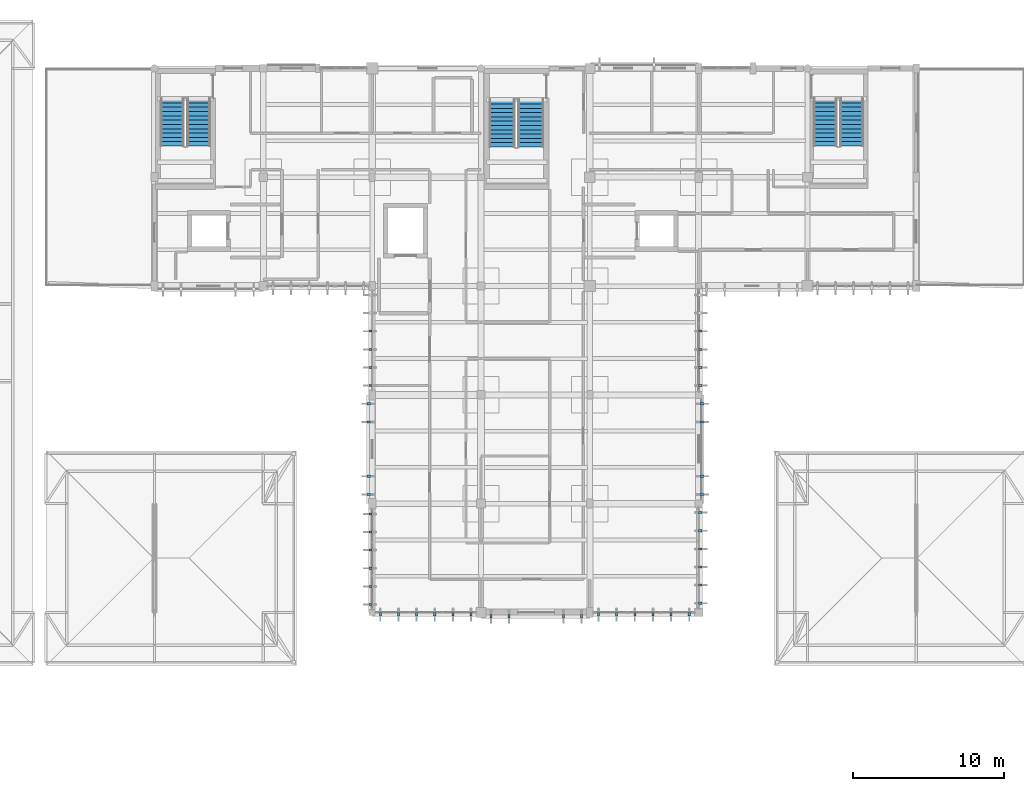
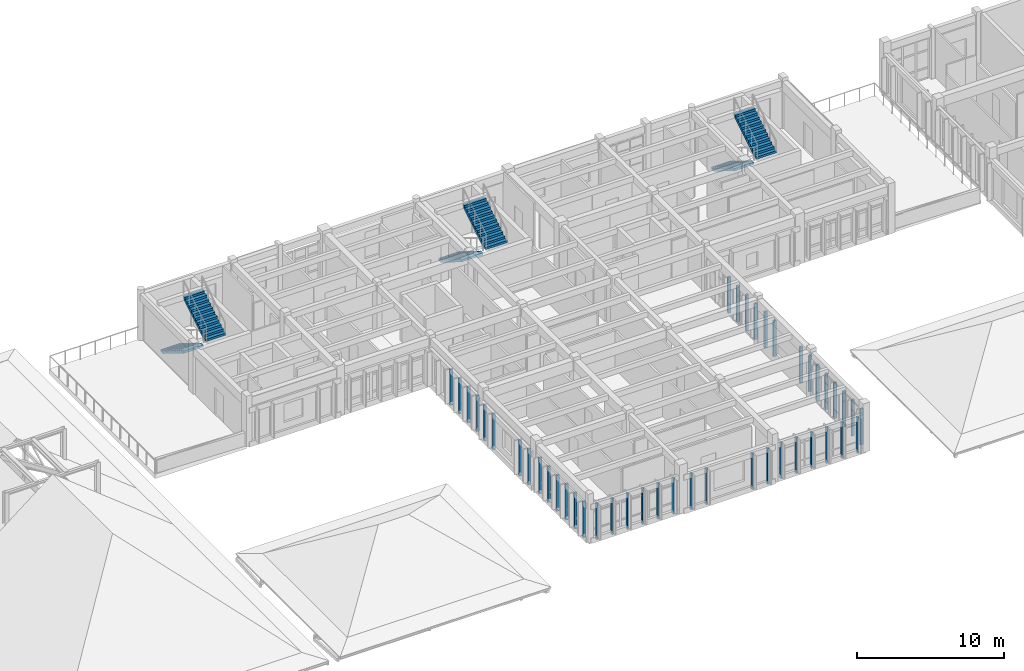
# One storey, part 40 of 51: 44 discrete accessories, 6 stair flights, 3 elements without a shape of their own.
"""IFC4 building model written with IfcOpenShell, lengths in metres."""

from ifc_helpers import new_model, si_unit, direction, frame, origin, origin_2d, place, context, subcontext, project, spatial, polyline, rectangle, outline, extrude, material, type_object, element, aggregate, save


model = new_model("IFC4")

# Units and contexts
model_context = context("Model", 3, precision=1e-05, world=origin(), true_north=direction((0.0, 1.0)))
body_context = subcontext(model_context, "Body", "Model", "MODEL_VIEW")
ifc_project = project(units=[si_unit("LENGTHUNIT", "METRE"), si_unit("AREAUNIT", "SQUARE_METRE"), si_unit("VOLUMEUNIT", "CUBIC_METRE"), si_unit("PLANEANGLEUNIT", "RADIAN"), si_unit("MASSUNIT", "GRAM", prefix="KILO")], contexts=[model_context])

# Site, building, storey
site_placement = place(None, origin())
site = spatial("IfcSite", under=ifc_project, at=site_placement, CompositionType="ELEMENT")
building_placement = place(site_placement, origin())
building = spatial("IfcBuilding", under=site, at=building_placement, Name="Steenspoor Specialist Clinic", CompositionType="ELEMENT")
storey_placement = place(building_placement, frame((0.0, 0.0, 17.39990234375)))
storey = spatial("IfcBuildingStorey", under=building, at=storey_placement, Name="L04", CompositionType="ELEMENT", Elevation=17.39990234375)

# Stair, stair flights
ifc_material_1 = material(Name="Concrete C35/45", Category="concrete")
stair_type_1 = type_object("IfcStairType", Name="ST-CORE-TYP", PredefinedType="HALF_TURN_STAIR", material=ifc_material_1)
stair_1_placement = place(storey_placement, origin())
stair_1 = element("IfcStair", 1, at=stair_1_placement, inside=storey, type_object=stair_type_1, Name="L04 Enclosed Exit Stair ST-V4A", PredefinedType="HALF_TURN_STAIR")
stair_flight_type_1 = type_object("IfcStairFlightType", Name="FL-CORE-TYP", PredefinedType="STRAIGHT", material=ifc_material_1)
stair_flight_1_placement = place(storey_placement, frame((60.77490234375, 106.35009765625, 0.0), z_axis=(0.0, 0.0, 1.0), x_axis=(0.0, -1.0, 0.0)))
stair_flight_1 = element("IfcStairFlight", 2, at=stair_flight_1_placement, type_object=stair_flight_type_1, Name="ST-V4A flight 1", NumberOfRisers=12, NumberOfTreads=11, PredefinedType="STRAIGHT", RiserHeight=0.175, TreadLength=0.285, context=body_context, shape_type="SweptSolid", body=[
    extrude(outline(polyline([(0.0, 0.0), (0.0, 0.175048828125), (0.284912109375, 0.175048828125), (0.284912109375, 0.35009765625), (0.570068359375, 0.35009765625), (0.570068359375, 0.52490234375), (0.85498046875, 0.52490234375), (0.85498046875, 0.699951171875), (1.139892578125, 0.699951171875), (1.139892578125, 0.875), (1.425048828125, 0.875), (1.425048828125, 1.050048828125), (1.7099609375, 1.050048828125), (1.7099609375, 1.22509765625), (1.9951171875, 1.22509765625), (1.9951171875, 1.39990234375), (2.280029296875, 1.39990234375), (2.280029296875, 1.574951171875), (2.56494140625, 1.574951171875), (2.56494140625, 1.75), (2.85009765625, 1.75), (2.85009765625, 1.925048828125), (3.135009765625, 1.925048828125), (3.135009765625, 2.10009765625), (3.135009765625, 1.7373046875), (0.3056640625, 0.0), (0.0, 0.0)])), frame((0.0, 0.77490234375, 0.0), z_axis=(0.0, -1.0, 0.0), x_axis=(1.0, 0.0, 0.0)), (0.0, 0.0, 1.0), 1.550048828125),
])
stair_flight_2_placement = place(storey_placement, frame((62.52490234375, 103.215087890625, 2.10009765625), z_axis=(0.0, 0.0, 1.0), x_axis=(0.0, 1.0, 0.0)))
stair_flight_2 = element("IfcStairFlight", 3, at=stair_flight_2_placement, type_object=stair_flight_type_1, Name="ST-V4A flight 2", NumberOfRisers=12, NumberOfTreads=11, PredefinedType="STRAIGHT", RiserHeight=0.175, TreadLength=0.285, context=body_context, shape_type="SweptSolid", body=[
    extrude(outline(polyline([(0.0, 0.0), (0.0, 0.175048828125), (0.284912109375, 0.175048828125), (0.284912109375, 0.35009765625), (0.570068359375, 0.35009765625), (0.570068359375, 0.52490234375), (0.85498046875, 0.52490234375), (0.85498046875, 0.699951171875), (1.139892578125, 0.699951171875), (1.139892578125, 0.875), (1.425048828125, 0.875), (1.425048828125, 1.050048828125), (1.7099609375, 1.050048828125), (1.7099609375, 1.22509765625), (1.9951171875, 1.22509765625), (1.9951171875, 1.39990234375), (2.280029296875, 1.39990234375), (2.280029296875, 1.574951171875), (2.56494140625, 1.574951171875), (2.56494140625, 1.75), (2.85009765625, 1.75), (2.85009765625, 1.925048828125), (3.135009765625, 1.925048828125), (3.135009765625, 2.10009765625), (3.135009765625, 1.7373046875), (0.3056640625, 0.0), (0.0, 0.0)])), frame((0.0, 0.77490234375, 0.0), z_axis=(0.0, -1.0, 0.0), x_axis=(1.0, 0.0, 0.0)), (0.0, 0.0, 1.0), 1.550048828125),
])
aggregate(stair_1, [stair_flight_1, stair_flight_2])

stair_2_placement = place(storey_placement, origin())
stair_2 = element("IfcStair", 4, at=stair_2_placement, inside=storey, type_object=stair_type_1, Name="L04 Enclosed Exit Stair ST-V4B", PredefinedType="HALF_TURN_STAIR")
stair_flight_3_placement = place(storey_placement, frame((103.97509765625, 106.35009765625, 0.0), z_axis=(0.0, 0.0, 1.0), x_axis=(0.0, -1.0, 0.0)))
stair_flight_3 = element("IfcStairFlight", 5, at=stair_flight_3_placement, type_object=stair_flight_type_1, Name="ST-V4B flight 1", NumberOfRisers=12, NumberOfTreads=11, PredefinedType="STRAIGHT", RiserHeight=0.175, TreadLength=0.285, context=body_context, shape_type="SweptSolid", body=[
    extrude(outline(polyline([(0.0, 0.0), (0.0, 0.175048828125), (0.284912109375, 0.175048828125), (0.284912109375, 0.35009765625), (0.570068359375, 0.35009765625), (0.570068359375, 0.52490234375), (0.85498046875, 0.52490234375), (0.85498046875, 0.699951171875), (1.139892578125, 0.699951171875), (1.139892578125, 0.875), (1.425048828125, 0.875), (1.425048828125, 1.050048828125), (1.7099609375, 1.050048828125), (1.7099609375, 1.22509765625), (1.9951171875, 1.22509765625), (1.9951171875, 1.39990234375), (2.280029296875, 1.39990234375), (2.280029296875, 1.574951171875), (2.56494140625, 1.574951171875), (2.56494140625, 1.75), (2.85009765625, 1.75), (2.85009765625, 1.925048828125), (3.135009765625, 1.925048828125), (3.135009765625, 2.10009765625), (3.135009765625, 1.7373046875), (0.3056640625, 0.0), (0.0, 0.0)])), frame((0.0, 0.77490234375, 0.0), z_axis=(0.0, -1.0, 0.0), x_axis=(1.0, 0.0, 0.0)), (0.0, 0.0, 1.0), 1.550048828125),
])
stair_flight_4_placement = place(storey_placement, frame((105.72509765625, 103.215087890625, 2.10009765625), z_axis=(0.0, 0.0, 1.0), x_axis=(0.0, 1.0, 0.0)))
stair_flight_4 = element("IfcStairFlight", 6, at=stair_flight_4_placement, type_object=stair_flight_type_1, Name="ST-V4B flight 2", NumberOfRisers=12, NumberOfTreads=11, PredefinedType="STRAIGHT", RiserHeight=0.175, TreadLength=0.285, context=body_context, shape_type="SweptSolid", body=[
    extrude(outline(polyline([(0.0, 0.0), (0.0, 0.175048828125), (0.284912109375, 0.175048828125), (0.284912109375, 0.35009765625), (0.570068359375, 0.35009765625), (0.570068359375, 0.52490234375), (0.85498046875, 0.52490234375), (0.85498046875, 0.699951171875), (1.139892578125, 0.699951171875), (1.139892578125, 0.875), (1.425048828125, 0.875), (1.425048828125, 1.050048828125), (1.7099609375, 1.050048828125), (1.7099609375, 1.22509765625), (1.9951171875, 1.22509765625), (1.9951171875, 1.39990234375), (2.280029296875, 1.39990234375), (2.280029296875, 1.574951171875), (2.56494140625, 1.574951171875), (2.56494140625, 1.75), (2.85009765625, 1.75), (2.85009765625, 1.925048828125), (3.135009765625, 1.925048828125), (3.135009765625, 2.10009765625), (3.135009765625, 1.7373046875), (0.3056640625, 0.0), (0.0, 0.0)])), frame((0.0, 0.77490234375, 0.0), z_axis=(0.0, -1.0, 0.0), x_axis=(1.0, 0.0, 0.0)), (0.0, 0.0, 1.0), 1.550048828125),
])
aggregate(stair_2, [stair_flight_3, stair_flight_4])

stair_type_2 = type_object("IfcStairType", Name="ST-CORE-WD", PredefinedType="HALF_TURN_STAIR", material=ifc_material_1)
stair_3_placement = place(storey_placement, origin())
stair_3 = element("IfcStair", 7, at=stair_3_placement, inside=storey, type_object=stair_type_2, Name="L04 Enclosed Exit Stair ST-V4C", PredefinedType="HALF_TURN_STAIR")
stair_flight_type_2 = type_object("IfcStairFlightType", Name="FL-CORE-WD", PredefinedType="STRAIGHT", material=ifc_material_1)
stair_flight_5_placement = place(storey_placement, frame((82.60009765625, 106.280029296875, 0.0), z_axis=(0.0, 0.0, 1.0), x_axis=(0.0, -1.0, 0.0)))
stair_flight_5 = element("IfcStairFlight", 8, at=stair_flight_5_placement, type_object=stair_flight_type_2, Name="ST-V4C flight 1", NumberOfRisers=12, NumberOfTreads=11, PredefinedType="STRAIGHT", RiserHeight=0.175, TreadLength=0.285, context=body_context, shape_type="SweptSolid", body=[
    extrude(outline(polyline([(0.0, 0.0), (0.0, 0.175048828125), (0.284912109375, 0.175048828125), (0.284912109375, 0.35009765625), (0.570068359375, 0.35009765625), (0.570068359375, 0.52490234375), (0.85498046875, 0.52490234375), (0.85498046875, 0.699951171875), (1.139892578125, 0.699951171875), (1.139892578125, 0.875), (1.425048828125, 0.875), (1.425048828125, 1.050048828125), (1.7099609375, 1.050048828125), (1.7099609375, 1.22509765625), (1.9951171875, 1.22509765625), (1.9951171875, 1.39990234375), (2.280029296875, 1.39990234375), (2.280029296875, 1.574951171875), (2.56494140625, 1.574951171875), (2.56494140625, 1.75), (2.85009765625, 1.75), (2.85009765625, 1.925048828125), (3.135009765625, 1.925048828125), (3.135009765625, 2.10009765625), (3.135009765625, 1.7373046875), (0.3056640625, 0.0), (0.0, 0.0)])), frame((0.0, 0.85009765625, 0.0), z_axis=(0.0, -1.0, 0.0), x_axis=(1.0, 0.0, 0.0)), (0.0, 0.0, 1.0), 1.699951171875),
])
stair_flight_6_placement = place(storey_placement, frame((84.5, 103.14501953125, 2.10009765625), z_axis=(0.0, 0.0, 1.0), x_axis=(0.0, 1.0, 0.0)))
stair_flight_6 = element("IfcStairFlight", 9, at=stair_flight_6_placement, type_object=stair_flight_type_2, Name="ST-V4C flight 2", NumberOfRisers=12, NumberOfTreads=11, PredefinedType="STRAIGHT", RiserHeight=0.175, TreadLength=0.285, context=body_context, shape_type="SweptSolid", body=[
    extrude(outline(polyline([(0.0, 0.0), (0.0, 0.175048828125), (0.284912109375, 0.175048828125), (0.284912109375, 0.35009765625), (0.570068359375, 0.35009765625), (0.570068359375, 0.52490234375), (0.85498046875, 0.52490234375), (0.85498046875, 0.699951171875), (1.139892578125, 0.699951171875), (1.139892578125, 0.875), (1.425048828125, 0.875), (1.425048828125, 1.050048828125), (1.7099609375, 1.050048828125), (1.7099609375, 1.22509765625), (1.9951171875, 1.22509765625), (1.9951171875, 1.39990234375), (2.280029296875, 1.39990234375), (2.280029296875, 1.574951171875), (2.56494140625, 1.574951171875), (2.56494140625, 1.75), (2.85009765625, 1.75), (2.85009765625, 1.925048828125), (3.135009765625, 1.925048828125), (3.135009765625, 2.10009765625), (3.135009765625, 1.7373046875), (0.3056640625, 0.0), (0.0, 0.0)])), frame((0.0, 0.85009765625, 0.0), z_axis=(0.0, -1.0, 0.0), x_axis=(1.0, 0.0, 0.0)), (0.0, 0.0, 1.0), 1.699951171875),
])
aggregate(stair_3, [stair_flight_5, stair_flight_6])

# Discrete accessories
ifc_material_2 = material(Name="Galvanised steel mounting bracket", Category="steel")
discrete_accessory_type = type_object("IfcDiscreteAccessoryType", Name="ACC-BRACKET-FIN", PredefinedType="BRACKET", material=ifc_material_2)
for number, where, z_axis, x_axis, name in (
    (10, (94.97509765625, 72.239990234375, 0.05029296875), (0.0, 0.0, 1.0), (0.0, -1.0, 0.0), "Timber Screen Bracket 3"),
    (11, (93.77490234375, 72.239990234375, 0.05029296875), (0.0, 0.0, 1.0), (0.0, -1.0, 0.0), "Timber Screen Bracket 4"),
    (12, (92.574951171875, 72.239990234375, 0.05029296875), (0.0, 0.0, 1.0), (0.0, -1.0, 0.0), "Timber Screen Bracket 5"),
    (13, (91.375, 72.239990234375, 0.05029296875), (0.0, 0.0, 1.0), (0.0, -1.0, 0.0), "Timber Screen Bracket 6"),
    (14, (90.175048828125, 72.239990234375, 0.05029296875), (0.0, 0.0, 1.0), (0.0, -1.0, 0.0), "Timber Screen Bracket 7"),
    (15, (88.97509765625, 72.239990234375, 0.05029296875), (0.0, 0.0, 1.0), (0.0, -1.0, 0.0), "Timber Screen Bracket 8"),
    (16, (87.85009765625, 72.110107421875, 0.05029296875), (0.0, 0.0, 1.0), (0.0, -1.0, 0.0), "Timber Screen Bracket 11"),
    (17, (86.64990234375, 72.110107421875, 0.05029296875), (0.0, 0.0, 1.0), (0.0, -1.0, 0.0), "Timber Screen Bracket 12"),
    (18, (83.050048828125, 72.110107421875, 0.05029296875), (0.0, 0.0, 1.0), (0.0, -1.0, 0.0), "Timber Screen Bracket 13"),
    (19, (81.85009765625, 72.110107421875, 0.05029296875), (0.0, 0.0, 1.0), (0.0, -1.0, 0.0), "Timber Screen Bracket 14"),
    (20, (80.53759765625, 72.239990234375, 0.05029296875), (0.0, 0.0, 1.0), (0.0, -1.0, 0.0), "Timber Screen Bracket 17"),
    (21, (79.33740234375, 72.239990234375, 0.05029296875), (0.0, 0.0, 1.0), (0.0, -1.0, 0.0), "Timber Screen Bracket 18"),
    (22, (78.137451171875, 72.239990234375, 0.05029296875), (0.0, 0.0, 1.0), (0.0, -1.0, 0.0), "Timber Screen Bracket 19"),
    (23, (76.9375, 72.239990234375, 0.05029296875), (0.0, 0.0, 1.0), (0.0, -1.0, 0.0), "Timber Screen Bracket 20"),
    (24, (75.737548828125, 72.239990234375, 0.05029296875), (0.0, 0.0, 1.0), (0.0, -1.0, 0.0), "Timber Screen Bracket 21"),
    (25, (74.53759765625, 72.239990234375, 0.05029296875), (0.0, 0.0, 1.0), (0.0, -1.0, 0.0), "Timber Screen Bracket 22"),
    (26, (73.889892578125, 72.875, 0.05029296875), (0.0, 0.0, 1.0), (-1.0, 0.0, 0.0), "Timber Screen Bracket 25"),
    (27, (73.889892578125, 74.074951171875, 0.05029296875), (0.0, 0.0, 1.0), (-1.0, 0.0, 0.0), "Timber Screen Bracket 26"),
    (28, (73.889892578125, 75.27490234375, 0.05029296875), (0.0, 0.0, 1.0), (-1.0, 0.0, 0.0), "Timber Screen Bracket 27"),
    (29, (73.889892578125, 76.47509765625, 0.05029296875), (0.0, 0.0, 1.0), (-1.0, 0.0, 0.0), "Timber Screen Bracket 28"),
    (30, (73.889892578125, 77.675048828125, 0.05029296875), (0.0, 0.0, 1.0), (-1.0, 0.0, 0.0), "Timber Screen Bracket 29"),
    (31, (73.889892578125, 78.875, 0.05029296875), (0.0, 0.0, 1.0), (-1.0, 0.0, 0.0), "Timber Screen Bracket 30"),
    (32, (73.77490234375, 80.16259765625, 0.05029296875), (0.0, 0.0, 1.0), (-1.0, 0.0, 0.0), "Timber Screen Bracket 33"),
    (33, (73.77490234375, 81.362548828125, 0.05029296875), (0.0, 0.0, 1.0), (-1.0, 0.0, 0.0), "Timber Screen Bracket 34"),
    (34, (73.77490234375, 84.96240234375, 0.05029296875), (0.0, 0.0, 1.0), (-1.0, 0.0, 0.0), "Timber Screen Bracket 35"),
    (35, (73.77490234375, 86.16259765625, 0.05029296875), (0.0, 0.0, 1.0), (-1.0, 0.0, 0.0), "Timber Screen Bracket 36"),
    (36, (73.889892578125, 87.362548828125, 0.05029296875), (0.0, 0.0, 1.0), (-1.0, 0.0, 0.0), "Timber Screen Bracket 39"),
    (37, (73.889892578125, 88.5625, 0.05029296875), (0.0, 0.0, 1.0), (-1.0, 0.0, 0.0), "Timber Screen Bracket 40"),
    (38, (73.889892578125, 89.762451171875, 0.05029296875), (0.0, 0.0, 1.0), (-1.0, 0.0, 0.0), "Timber Screen Bracket 41"),
    (39, (73.889892578125, 90.96240234375, 0.05029296875), (0.0, 0.0, 1.0), (-1.0, 0.0, 0.0), "Timber Screen Bracket 42"),
    (40, (95.7099609375, 90.96240234375, 0.05029296875), (0.0, 0.0, 1.0), (1.0, 0.0, 0.0), "Timber Screen Bracket 81"),
    (41, (95.7099609375, 89.762451171875, 0.05029296875), (0.0, 0.0, 1.0), (1.0, 0.0, 0.0), "Timber Screen Bracket 82"),
    (42, (95.7099609375, 88.5625, 0.05029296875), (0.0, 0.0, 1.0), (1.0, 0.0, 0.0), "Timber Screen Bracket 83"),
    (43, (95.7099609375, 87.362548828125, 0.05029296875), (0.0, 0.0, 1.0), (1.0, 0.0, 0.0), "Timber Screen Bracket 84"),
    (44, (95.81005859375, 86.16259765625, 0.05029296875), (0.0, 0.0, 1.0), (1.0, 0.0, 0.0), "Timber Screen Bracket 87"),
    (45, (95.81005859375, 84.96240234375, 0.05029296875), (0.0, 0.0, 1.0), (1.0, 0.0, 0.0), "Timber Screen Bracket 88"),
    (46, (95.81005859375, 81.362548828125, 0.05029296875), (0.0, 0.0, 1.0), (1.0, 0.0, 0.0), "Timber Screen Bracket 89"),
    (47, (95.81005859375, 80.16259765625, 0.05029296875), (0.0, 0.0, 1.0), (1.0, 0.0, 0.0), "Timber Screen Bracket 90"),
    (48, (95.7099609375, 78.96240234375, 0.05029296875), (0.0, 0.0, 1.0), (1.0, 0.0, 0.0), "Timber Screen Bracket 93"),
    (49, (95.7099609375, 77.762451171875, 0.05029296875), (0.0, 0.0, 1.0), (1.0, 0.0, 0.0), "Timber Screen Bracket 94"),
    (50, (95.7099609375, 76.5625, 0.05029296875), (0.0, 0.0, 1.0), (1.0, 0.0, 0.0), "Timber Screen Bracket 95"),
    (51, (95.7099609375, 75.362548828125, 0.05029296875), (0.0, 0.0, 1.0), (1.0, 0.0, 0.0), "Timber Screen Bracket 96"),
    (52, (95.7099609375, 74.16259765625, 0.05029296875), (0.0, 0.0, 1.0), (1.0, 0.0, 0.0), "Timber Screen Bracket 97"),
    (53, (95.7099609375, 72.96240234375, 0.05029296875), (0.0, 0.0, 1.0), (1.0, 0.0, 0.0), "Timber Screen Bracket 98"),
):
    element("IfcDiscreteAccessory", number, at=place(storey_placement, frame(where, z_axis=z_axis, x_axis=x_axis)), inside=storey, type_object=discrete_accessory_type, Name=name, PredefinedType="BRACKET", context=body_context, shape_type="SweptSolid", body=[
        extrude(rectangle(XDim=0.219970703125, YDim=0.139892578125, at=origin_2d()), origin(), (0.0, 0.0, 1.0), 2.989990234375),
    ])

save(model, "model.ifc")
